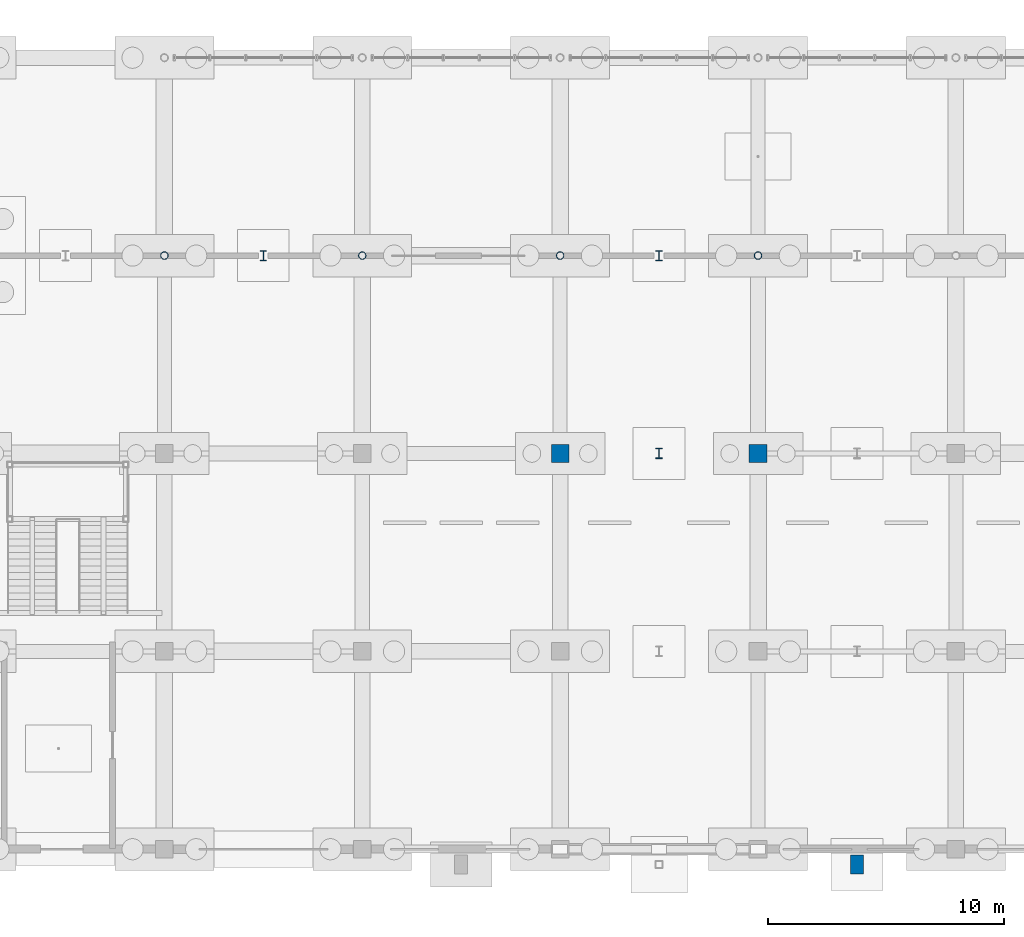
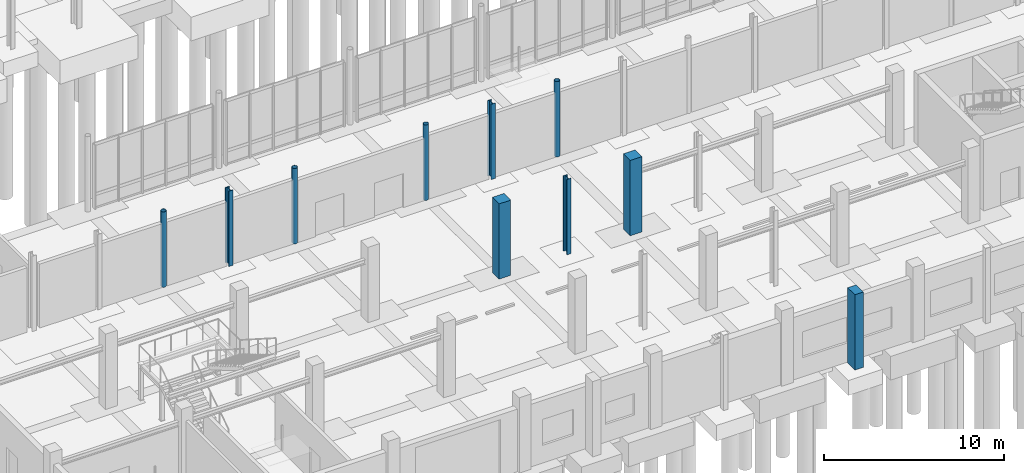
# One storey, part 14 of 119: 10 columns.
"""IFC4 building model written with IfcOpenShell, lengths in metres."""

from ifc_helpers import new_model, si_unit, derived_unit, direction, frame, origin, origin_2d, place, context, subcontext, project, spatial, rectangle, hollow_circle, i_section, extrude, material, material_profile, profile_set, type_object, element, save


model = new_model("IFC4")

# Units and contexts
model_context = context("Model", 3, precision=1e-05, world=origin(), true_north=direction((0.0, 1.0)))
body_context = subcontext(model_context, "Body", "Model", "MODEL_VIEW")
ifc_project = project(units=[si_unit("LENGTHUNIT", "METRE"), si_unit("AREAUNIT", "SQUARE_METRE"), si_unit("VOLUMEUNIT", "CUBIC_METRE"), si_unit("PLANEANGLEUNIT", "RADIAN"), si_unit("MASSUNIT", "GRAM", prefix="KILO"), derived_unit("THERMALTRANSMITTANCEUNIT", [(si_unit("MASSUNIT", "GRAM", prefix="KILO"), 1), (si_unit("TIMEUNIT", "SECOND"), -3), (si_unit("THERMODYNAMICTEMPERATUREUNIT", "KELVIN"), -1)])], contexts=[model_context])

# Site, building, storey
site_placement = place(None, origin())
site = spatial("IfcSite", under=ifc_project, at=site_placement, CompositionType="ELEMENT")
building_placement = place(site_placement, origin())
building = spatial("IfcBuilding", under=site, at=building_placement, Name="Makaiwela Harbour Ferry Terminal", CompositionType="ELEMENT")
storey_placement = place(building_placement, origin())
storey = spatial("IfcBuildingStorey", under=building, at=storey_placement, Name="L00", CompositionType="ELEMENT", Elevation=0.0)

# Columns
ifc_material_1 = material(Name="Steel ASTM A500 Grade C", Category="steel")
ifc_material_profile_1 = material_profile(ifc_material_1, hollow_circle(Radius=0.162109375, WallThickness=0.0126953125, at=origin_2d()), Name="PIPE12XS")
ifc_profile_set_1 = profile_set([ifc_material_profile_1], Name="Steel ASTM A500 Grade C")
column_type_1 = type_object("IfcColumnType", Name="STR-COL-PIPE12", PredefinedType="COLUMN", material=ifc_profile_set_1)
for number, where, z_axis, x_axis, name in (
    (1, (79.800048828125, 25.199951171875, 0.0), (0.0, 0.0, 1.0), (1.0, 0.0, 0.0), "Structural Column C-07"),
    (2, (88.199951171875, 25.199951171875, 0.0), (0.0, 0.0, 1.0), (1.0, 0.0, 0.0), "Structural Column C-07"),
    (3, (96.60009765625, 25.199951171875, 0.0), (0.0, 0.0, 1.0), (1.0, 0.0, 0.0), "Structural Column C-07"),
    (4, (105.0, 25.199951171875, 0.0), (0.0, 0.0, 1.0), (1.0, 0.0, 0.0), "Structural Column C-07"),
):
    element("IfcColumn", number, at=place(storey_placement, frame(where, z_axis=z_axis, x_axis=x_axis)), inside=storey, type_object=column_type_1, Name=name, PredefinedType="COLUMN", context=body_context, shape_type="SweptSolid", body=[
        extrude(hollow_circle(Radius=0.162109375, WallThickness=0.0126953125, at=origin_2d()), origin(), (0.0, 0.0, 1.0), 5.10009765625),
    ])
ifc_material_2 = material(Name="Concrete f'c 45 MPa (6500 psi)", Category="concrete")
ifc_material_profile_2 = material_profile(ifc_material_2, rectangle(XDim=0.75, YDim=0.75, at=origin_2d()), Name="RC-750X750")
ifc_profile_set_2 = profile_set([ifc_material_profile_2], Name="Concrete f'c 45 MPa (6500 psi)")
column_type_2 = type_object("IfcColumnType", Name="STR-COL-RC750", PredefinedType="COLUMN", material=ifc_profile_set_2)
for number, where, z_axis, x_axis, name in (
    (5, (96.60009765625, 16.800048828125, 0.0), (0.0, 0.0, 1.0), (1.0, 0.0, 0.0), "Structural Column C-08"),
    (6, (105.0, 16.800048828125, 0.0), (0.0, 0.0, 1.0), (1.0, 0.0, 0.0), "Structural Column C-08"),
):
    element("IfcColumn", number, at=place(storey_placement, frame(where, z_axis=z_axis, x_axis=x_axis)), inside=storey, type_object=column_type_2, Name=name, PredefinedType="COLUMN", context=body_context, shape_type="SweptSolid", body=[
        extrude(rectangle(XDim=0.75, YDim=0.75, at=origin_2d()), origin(), (0.0, 0.0, 1.0), 5.10009765625),
    ])
ifc_material_3 = material(Name="Steel ASTM A992 Grade 50", Category="steel")
ifc_material_profile_3 = material_profile(ifc_material_3, i_section(OverallWidth=0.264892578125, OverallDepth=0.430908203125, WebThickness=0.014892578125, FlangeThickness=0.02490234375, at=origin_2d()), Name="W16X100")
ifc_profile_set_3 = profile_set([ifc_material_profile_3], Name="Steel ASTM A992 Grade 50")
column_type_3 = type_object("IfcColumnType", Name="STR-COL-W16X100", PredefinedType="COLUMN", material=ifc_profile_set_3)
for number, where, z_axis, x_axis, name in (
    (7, (84.0, 25.199951171875, 0.0), (0.0, 0.0, 1.0), (1.0, 0.0, 0.0), "Structural Column C-03"),
    (8, (100.800048828125, 16.800048828125, 0.0), (0.0, 0.0, 1.0), (1.0, 0.0, 0.0), "Structural Column C-03"),
    (9, (100.800048828125, 25.199951171875, 0.0), (0.0, 0.0, 1.0), (1.0, 0.0, 0.0), "Structural Column C-03"),
):
    element("IfcColumn", number, at=place(storey_placement, frame(where, z_axis=z_axis, x_axis=x_axis)), inside=storey, type_object=column_type_3, Name=name, PredefinedType="COLUMN", context=body_context, shape_type="SweptSolid", body=[
        extrude(i_section(OverallWidth=0.264892578125, OverallDepth=0.430908203125, WebThickness=0.014892578125, FlangeThickness=0.02490234375, at=origin_2d()), origin(), (0.0, 0.0, 1.0), 5.10009765625),
    ])
ifc_material_profile_4 = material_profile(ifc_material_2, rectangle(XDim=0.550048828125, YDim=0.800048828125, at=origin_2d()), Name="RC-800X550")
ifc_profile_set_4 = profile_set([ifc_material_profile_4], Name="Concrete f'c 45 MPa (6500 psi)")
column_type_4 = type_object("IfcColumnType", Name="STR-PIL-RC800", PredefinedType="PILASTER", material=ifc_profile_set_4)
column_placement = place(storey_placement, frame((109.199951171875, -0.64990234375, 0.0), z_axis=(0.0, 0.0, 1.0), x_axis=(1.0, 0.0, 0.0)))
element("IfcColumn", 10, at=column_placement, inside=storey, type_object=column_type_4, Name="Structural Column PL-01", PredefinedType="PILASTER", context=body_context, shape_type="SweptSolid", body=[
    extrude(rectangle(XDim=0.550048828125, YDim=0.800048828125, at=origin_2d()), origin(), (0.0, 0.0, 1.0), 5.10009765625),
])

save(model, "model.ifc")
